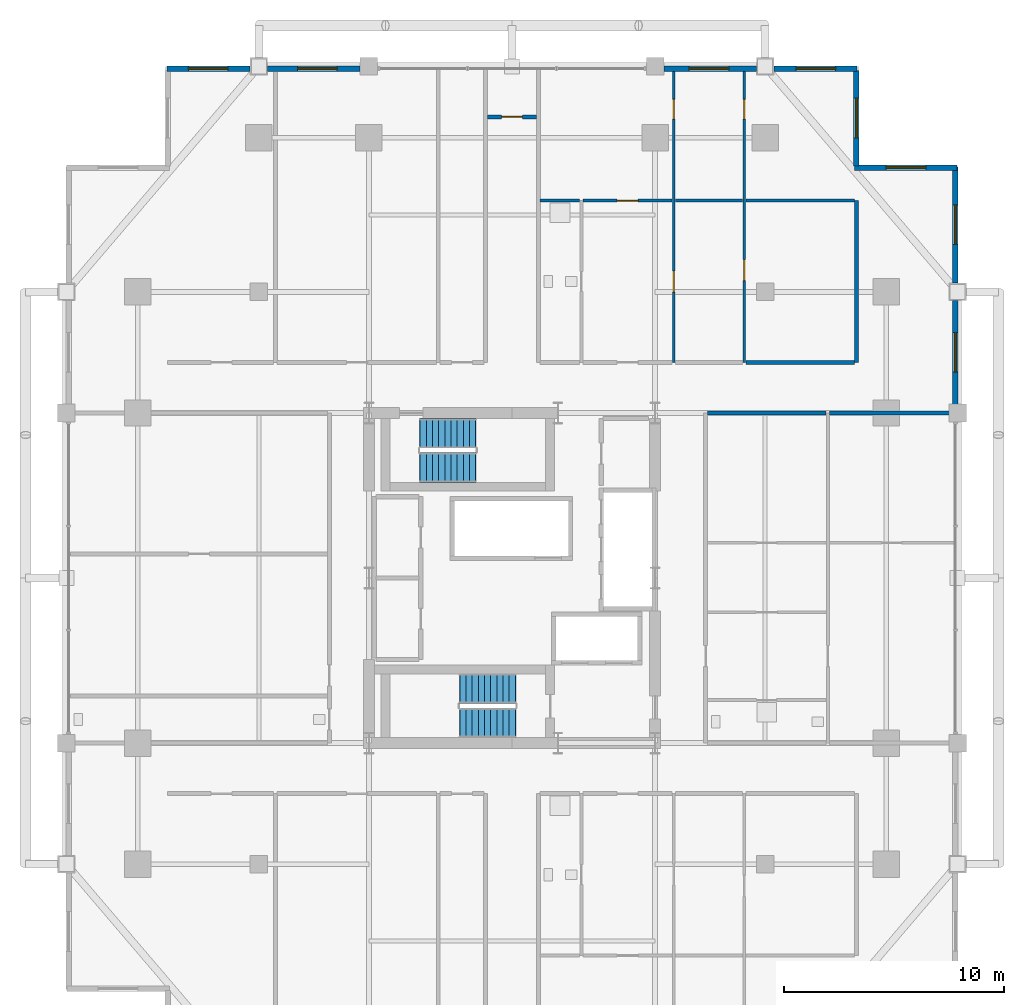
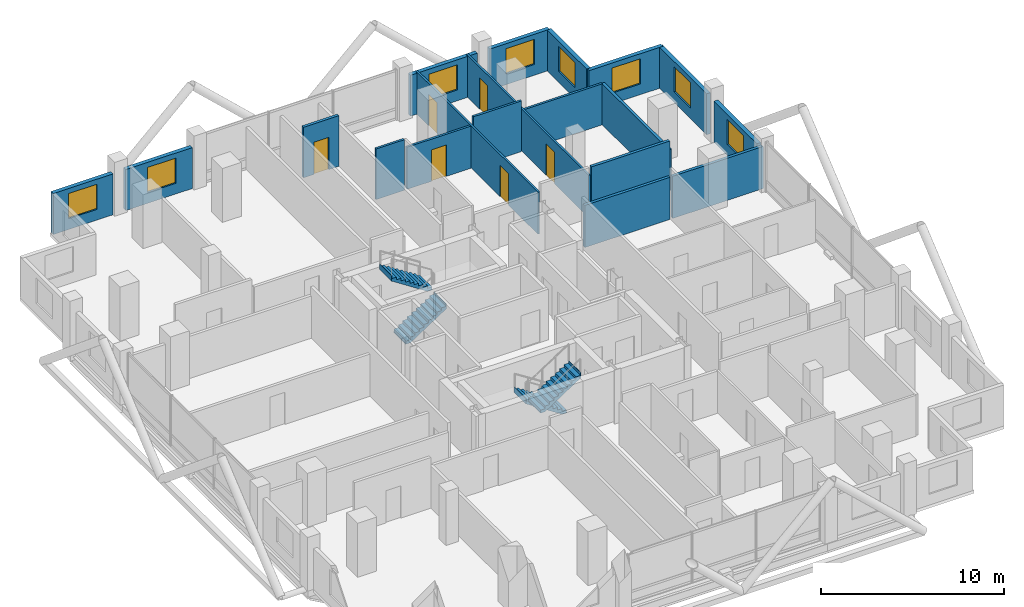
# One storey, part 22 of 24: 19 walls, 8 windows, 6 doors, 4 stair flights, 14 openings, 2 elements without a shape of their own.
"""IFC4 building model written with IfcOpenShell, lengths in metres."""

from ifc_helpers import new_model, si_unit, direction, frame, frame_2d, origin, place, context, subcontext, project, spatial, polyline, rectangle, outline, extrude, material, layer, layer_set, type_object, element, fill, aggregate, save


model = new_model("IFC4")

# Units and contexts
model_context = context("Model", 3, precision=1e-05, world=origin(), true_north=direction((0.0, 1.0)))
body_context = subcontext(model_context, "Body", "Model", "MODEL_VIEW")
ifc_project = project(units=[si_unit("LENGTHUNIT", "METRE"), si_unit("AREAUNIT", "SQUARE_METRE"), si_unit("VOLUMEUNIT", "CUBIC_METRE"), si_unit("PLANEANGLEUNIT", "RADIAN"), si_unit("MASSUNIT", "GRAM", prefix="KILO")], contexts=[model_context])

# Site, building, storey
site_placement = place(None, origin())
site = spatial("IfcSite", under=ifc_project, at=site_placement, CompositionType="ELEMENT")
building_placement = place(site_placement, origin())
building = spatial("IfcBuilding", under=site, at=building_placement, Name="Barlavira Tower and Art Museum", CompositionType="ELEMENT")
storey_placement = place(building_placement, frame((0.0, 0.0, 154.800048828125)))
storey = spatial("IfcBuildingStorey", under=building, at=storey_placement, Name="L39", CompositionType="ELEMENT", Elevation=154.800048828125)

# Wall, openings, doors
ifc_material_1 = material(Name="Gypsum acoustic stud partition", Category="gypsum")
ifc_layer_1 = layer(ifc_material_1, 0.1201171875, Name="Gypsum acoustic stud partition")
ifc_layer_set_1 = layer_set([ifc_layer_1], Name="Gypsum acoustic stud partition")
wall_type_1 = type_object("IfcWallType", Name="Apartment Internal Acoustic Partition 120", PredefinedType="PARTITIONING", material=ifc_layer_set_1)
wall_1_placement = place(storey_placement, frame((7.35009765625, 9.800048828125, 0.0), z_axis=(0.0, 0.0, 1.0), x_axis=(0.0, 1.0, 0.0)))
wall_1 = element("IfcWall", 1, at=wall_1_placement, inside=storey, type_object=wall_type_1, Name="L39 Partition Wall 16", PredefinedType="PARTITIONING", context=body_context, shape_type="SweptSolid", body=[
    extrude(rectangle(XDim=13.349853515625, YDim=0.1201171875, at=frame_2d((6.6748046875, 0.0))), origin(), (0.0, 0.0, 1.0), 2.81591796875),
])
opening_1_placement = place(wall_1_placement, frame((3.195068359375, 0.0, 0.0)))
opening_1 = element("IfcOpeningElement", 2, at=opening_1_placement, cuts=wall_1, Name="Opening D-02", PredefinedType="OPENING", context=body_context, shape_type="SweptSolid", body=[
    extrude(rectangle(XDim=0.949951171875, YDim=2.10009765625, at=frame_2d((0.47509765625, 1.050048828125))), frame((0.0, 0.070068359375, 0.0), z_axis=(0.0, -1.0, 0.0), x_axis=(1.0, 0.0, 0.0)), (0.0, 0.0, 1.0), 0.14013671875),
])
opening_2_placement = place(wall_1_placement, frame((11.051025390625, 0.0, 0.0)))
opening_2 = element("IfcOpeningElement", 3, at=opening_2_placement, cuts=wall_1, Name="Opening D-01", PredefinedType="OPENING", context=body_context, shape_type="SweptSolid", body=[
    extrude(rectangle(XDim=0.89990234375, YDim=2.10009765625, at=frame_2d((0.449951171875, 1.050048828125))), frame((0.0, 0.070068359375, 0.0), z_axis=(0.0, -1.0, 0.0), x_axis=(1.0, 0.0, 0.0)), (0.0, 0.0, 1.0), 0.14013671875),
])
ifc_material_2 = material(Name="Engineered coastal hardwood", Category="wood")
door_type_1 = type_object("IfcDoorType", Name="Internal Bedroom Timber Flush Door 900x2100", OperationType="NOTDEFINED", PredefinedType="DOOR", material=ifc_material_2)
door_1_placement = place(opening_2_placement, origin())
door_1 = element("IfcDoor", 4, at=door_1_placement, inside=storey, type_object=door_type_1, Name="Apartment NE1 Bedroom 1 Door", OperationType="SINGLE_SWING_LEFT", OverallHeight=2.10009765625, OverallWidth=0.89990234375, PredefinedType="DOOR", context=body_context, shape_type="SweptSolid", body=[
    extrude(rectangle(XDim=0.89990234375, YDim=2.10009765625, at=frame_2d((0.449951171875, 1.050048828125))), frame((0.0, 0.02490234375, 0.0), z_axis=(0.0, -1.0, 0.0), x_axis=(1.0, 0.0, 0.0)), (0.0, 0.0, 1.0), 0.050048828125),
])
fill(opening_2, door_1)
door_type_2 = type_object("IfcDoorType", Name="Living and Salon Glazed-Leaf Door 950x2100", OperationType="NOTDEFINED", PredefinedType="DOOR", material=ifc_material_2)
door_2_placement = place(opening_1_placement, origin())
door_2 = element("IfcDoor", 5, at=door_2_placement, inside=storey, type_object=door_type_2, Name="Apartment NE1 Kitchen Door", OperationType="SINGLE_SWING_RIGHT", OverallHeight=2.10009765625, OverallWidth=0.949951171875, PredefinedType="DOOR", context=body_context, shape_type="SweptSolid", body=[
    extrude(rectangle(XDim=0.949951171875, YDim=2.10009765625, at=frame_2d((0.47509765625, 1.050048828125))), frame((0.0, 0.02490234375, 0.0), z_axis=(0.0, -1.0, 0.0), x_axis=(1.0, 0.0, 0.0)), (0.0, 0.0, 1.0), 0.050048828125),
])
fill(opening_1, door_2)

wall_2_placement = place(storey_placement, frame((10.550048828125, 9.800048828125, 0.0), z_axis=(0.0, 0.0, 1.0), x_axis=(0.0, 1.0, 0.0)))
wall_2 = element("IfcWall", 6, at=wall_2_placement, inside=storey, type_object=wall_type_1, Name="L39 Partition Wall 19", PredefinedType="PARTITIONING", context=body_context, shape_type="SweptSolid", body=[
    extrude(rectangle(XDim=13.349853515625, YDim=0.1201171875, at=frame_2d((6.6748046875, 0.0))), origin(), (0.0, 0.0, 1.0), 2.81591796875),
])
opening_3_placement = place(wall_2_placement, frame((3.71337890625, 0.0, 0.0)))
opening_3 = element("IfcOpeningElement", 7, at=opening_3_placement, cuts=wall_2, Name="Opening D-02", PredefinedType="OPENING", context=body_context, shape_type="SweptSolid", body=[
    extrude(rectangle(XDim=0.949951171875, YDim=2.10009765625, at=frame_2d((0.47509765625, 1.050048828125))), frame((0.0, 0.070068359375, 0.0), z_axis=(0.0, -1.0, 0.0), x_axis=(1.0, 0.0, 0.0)), (0.0, 0.0, 1.0), 0.14013671875),
])
opening_4_placement = place(wall_2_placement, frame((11.051025390625, 0.0, 0.0)))
opening_4 = element("IfcOpeningElement", 8, at=opening_4_placement, cuts=wall_2, Name="Opening D-01", PredefinedType="OPENING", context=body_context, shape_type="SweptSolid", body=[
    extrude(rectangle(XDim=0.89990234375, YDim=2.10009765625, at=frame_2d((0.449951171875, 1.050048828125))), frame((0.0, 0.070068359375, 0.0), z_axis=(0.0, -1.0, 0.0), x_axis=(1.0, 0.0, 0.0)), (0.0, 0.0, 1.0), 0.14013671875),
])
door_3_placement = place(opening_4_placement, origin())
door_3 = element("IfcDoor", 9, at=door_3_placement, inside=storey, type_object=door_type_1, Name="Apartment NE1 Bedroom 2 Door", OperationType="SINGLE_SWING_RIGHT", OverallHeight=2.10009765625, OverallWidth=0.89990234375, PredefinedType="DOOR", context=body_context, shape_type="SweptSolid", body=[
    extrude(rectangle(XDim=0.89990234375, YDim=2.10009765625, at=frame_2d((0.449951171875, 1.050048828125))), frame((0.0, 0.02490234375, 0.0), z_axis=(0.0, -1.0, 0.0), x_axis=(1.0, 0.0, 0.0)), (0.0, 0.0, 1.0), 0.050048828125),
])
fill(opening_4, door_3)
door_4_placement = place(opening_3_placement, origin())
door_4 = element("IfcDoor", 10, at=door_4_placement, inside=storey, type_object=door_type_2, Name="Apartment NE1 Dining Salon Door", OperationType="SINGLE_SWING_LEFT", OverallHeight=2.10009765625, OverallWidth=0.949951171875, PredefinedType="DOOR", context=body_context, shape_type="SweptSolid", body=[
    extrude(rectangle(XDim=0.949951171875, YDim=2.10009765625, at=frame_2d((0.47509765625, 1.050048828125))), frame((0.0, 0.02490234375, 0.0), z_axis=(0.0, -1.0, 0.0), x_axis=(1.0, 0.0, 0.0)), (0.0, 0.0, 1.0), 0.050048828125),
])
fill(opening_3, door_4)

# Walls
ifc_layer_2 = layer(ifc_material_1, 0.179931640625, Name="Gypsum acoustic stud partition")
ifc_layer_set_2 = layer_set([ifc_layer_2], Name="Gypsum acoustic stud partition")
wall_type_2 = type_object("IfcWallType", Name="Inter-Tenancy Party Partition Wall 180", PredefinedType="PARTITIONING", material=ifc_layer_set_2)
wall_3_placement = place(storey_placement, frame((15.64990234375, 9.800048828125, 0.0), z_axis=(0.0, 0.0, 1.0), x_axis=(0.0, 1.0, 0.0)))
element("IfcWall", 11, at=wall_3_placement, inside=storey, type_object=wall_type_2, Name="L39 Partition Wall 22", PredefinedType="PARTITIONING", context=body_context, shape_type="SweptSolid", body=[
    extrude(rectangle(XDim=7.349853515625, YDim=0.179931640625, at=frame_2d((3.6748046875, 0.0))), origin(), (0.0, 0.0, 1.0), 2.73583984375),
])
wall_4_placement = place(storey_placement, frame((8.8798828125, 7.5, 0.0), z_axis=(0.0, 0.0, 1.0), x_axis=(1.0, 0.0, 0.0)))
element("IfcWall", 12, at=wall_4_placement, inside=storey, type_object=wall_type_2, Name="L39 Partition Wall 49", PredefinedType="PARTITIONING", context=body_context, shape_type="SweptSolid", body=[
    extrude(rectangle(XDim=5.39013671875, YDim=0.179931640625, at=frame_2d((2.695068359375, 0.0))), origin(), (0.0, 0.0, 1.0), 2.81591796875),
])
wall_5_placement = place(storey_placement, frame((14.429931640625, 7.5, 0.0), z_axis=(0.0, 0.0, 1.0), x_axis=(1.0, 0.0, 0.0)))
element("IfcWall", 13, at=wall_5_placement, inside=storey, type_object=wall_type_2, Name="L39 Partition Wall 50", PredefinedType="PARTITIONING", context=body_context, shape_type="SweptSolid", body=[
    extrude(rectangle(XDim=5.719970703125, YDim=0.179931640625, at=frame_2d((2.85986328125, 0.0))), origin(), (0.0, 0.0, 1.0), 2.81591796875),
])
wall_6_placement = place(storey_placement, frame((10.6298828125, 9.800048828125, 0.0), z_axis=(0.0, 0.0, 1.0), x_axis=(1.0, 0.0, 0.0)))
element("IfcWall", 14, at=wall_6_placement, inside=storey, type_object=wall_type_2, Name="L39 Partition Wall 57", PredefinedType="PARTITIONING", context=body_context, shape_type="SweptSolid", body=[
    extrude(rectangle(XDim=4.940185546875, YDim=0.179931640625, at=frame_2d((2.47021484375, 0.0))), origin(), (0.0, 0.0, 1.0), 3.3798828125),
])

# Wall, opening, door
wall_7_placement = place(storey_placement, frame((-1.1201171875, 20.949951171875, 0.0), z_axis=(0.0, 0.0, 1.0), x_axis=(1.0, 0.0, 0.0)))
wall_7 = element("IfcWall", 15, at=wall_7_placement, inside=storey, type_object=wall_type_2, Name="L39 Partition Wall 62", PredefinedType="PARTITIONING", context=body_context, shape_type="SweptSolid", body=[
    extrude(rectangle(XDim=2.240234375, YDim=0.179931640625, at=frame_2d((1.1201171875, 0.0))), origin(), (0.0, 0.0, 1.0), 3.3798828125),
])
opening_5_placement = place(wall_7_placement, frame((0.64501953125, 0.0, 0.0)))
opening_5 = element("IfcOpeningElement", 16, at=opening_5_placement, cuts=wall_7, Name="Opening FD-60", PredefinedType="OPENING", context=body_context, shape_type="SweptSolid", body=[
    extrude(rectangle(XDim=0.949951171875, YDim=2.14990234375, at=frame_2d((0.47509765625, 1.074951171875))), frame((0.0, 0.10009765625, 0.0), z_axis=(0.0, -1.0, 0.0), x_axis=(1.0, 0.0, 0.0)), (0.0, 0.0, 1.0), 0.199951171875),
])
ifc_material_3 = material(Name="Brushed stainless steel", Category="steel")
door_type_3 = type_object("IfcDoorType", Name="Apartment Entrance and Riser Fire Door 950x2150 FD60S", OperationType="NOTDEFINED", PredefinedType="DOOR", material=ifc_material_3)
door_5_placement = place(opening_5_placement, origin())
door_5 = element("IfcDoor", 17, at=door_5_placement, inside=storey, type_object=door_type_3, Name="L39 North Ocean Alcove Door", OperationType="SINGLE_SWING_RIGHT", OverallHeight=2.14990234375, OverallWidth=0.949951171875, PredefinedType="DOOR", context=body_context, shape_type="SweptSolid", body=[
    extrude(rectangle(XDim=0.949951171875, YDim=2.14990234375, at=frame_2d((0.47509765625, 1.074951171875))), frame((0.0, 0.02490234375, 0.0), z_axis=(0.0, -1.0, 0.0), x_axis=(1.0, 0.0, 0.0)), (0.0, 0.0, 1.0), 0.050048828125),
])
fill(opening_5, door_5)

# Wall
ifc_layer_3 = layer(ifc_material_1, 0.139892578125, Name="Gypsum acoustic stud partition")
ifc_layer_set_3 = layer_set([ifc_layer_3], Name="Gypsum acoustic stud partition")
wall_type_3 = type_object("IfcWallType", Name="Moisture-Resistant Bathroom Partition 140", PredefinedType="PARTITIONING", material=ifc_layer_set_3)
wall_8_placement = place(storey_placement, frame((1.280029296875, 17.14990234375, 0.0), z_axis=(0.0, 0.0, 1.0), x_axis=(1.0, 0.0, 0.0)))
element("IfcWall", 18, at=wall_8_placement, inside=storey, type_object=wall_type_3, Name="L39 Partition Wall 58", PredefinedType="PARTITIONING", context=body_context, shape_type="SweptSolid", body=[
    extrude(rectangle(XDim=1.7900390625, YDim=0.139892578125, at=frame_2d((0.89501953125, 0.0))), origin(), (0.0, 0.0, 1.0), 3.3798828125),
])

# Wall, opening, door
wall_9_placement = place(storey_placement, frame((3.22998046875, 17.14990234375, 0.0), z_axis=(0.0, 0.0, 1.0), x_axis=(1.0, 0.0, 0.0)))
wall_9 = element("IfcWall", 19, at=wall_9_placement, inside=storey, type_object=wall_type_3, Name="L39 Partition Wall 59", PredefinedType="PARTITIONING", context=body_context, shape_type="SweptSolid", body=[
    extrude(rectangle(XDim=4.0400390625, YDim=0.139892578125, at=frame_2d((2.02001953125, 0.0))), origin(), (0.0, 0.0, 1.0), 2.81591796875),
])
opening_6_placement = place(wall_9_placement, frame((1.544921875, 0.0, 0.0)))
opening_6 = element("IfcOpeningElement", 20, at=opening_6_placement, cuts=wall_9, Name="Opening D-02", PredefinedType="OPENING", context=body_context, shape_type="SweptSolid", body=[
    extrude(rectangle(XDim=0.949951171875, YDim=2.10009765625, at=frame_2d((0.47509765625, 1.050048828125))), frame((0.0, 0.080078125, 0.0), z_axis=(0.0, -1.0, 0.0), x_axis=(1.0, 0.0, 0.0)), (0.0, 0.0, 1.0), 0.159912109375),
])
door_6_placement = place(opening_6_placement, origin())
door_6 = element("IfcDoor", 21, at=door_6_placement, inside=storey, type_object=door_type_2, Name="Apartment NE1 Living Lounge Door", OperationType="SINGLE_SWING_RIGHT", OverallHeight=2.10009765625, OverallWidth=0.949951171875, PredefinedType="DOOR", context=body_context, shape_type="SweptSolid", body=[
    extrude(rectangle(XDim=0.949951171875, YDim=2.10009765625, at=frame_2d((0.47509765625, 1.050048828125))), frame((0.0, 0.02490234375, 0.0), z_axis=(0.0, -1.0, 0.0), x_axis=(1.0, 0.0, 0.0)), (0.0, 0.0, 1.0), 0.050048828125),
])
fill(opening_6, door_6)

# Walls
wall_10_placement = place(storey_placement, frame((7.429931640625, 17.14990234375, 0.0), z_axis=(0.0, 0.0, 1.0), x_axis=(1.0, 0.0, 0.0)))
element("IfcWall", 22, at=wall_10_placement, inside=storey, type_object=wall_type_3, Name="L39 Partition Wall 60", PredefinedType="PARTITIONING", context=body_context, shape_type="SweptSolid", body=[
    extrude(rectangle(XDim=3.0400390625, YDim=0.139892578125, at=frame_2d((1.52001953125, 0.0))), origin(), (0.0, 0.0, 1.0), 3.3798828125),
])
wall_11_placement = place(storey_placement, frame((10.6298828125, 17.14990234375, 0.0), z_axis=(0.0, 0.0, 1.0), x_axis=(1.0, 0.0, 0.0)))
element("IfcWall", 23, at=wall_11_placement, inside=storey, type_object=wall_type_3, Name="L39 Partition Wall 61", PredefinedType="PARTITIONING", context=body_context, shape_type="SweptSolid", body=[
    extrude(rectangle(XDim=4.940185546875, YDim=0.139892578125, at=frame_2d((2.47021484375, 0.0))), origin(), (0.0, 0.0, 1.0), 2.73583984375),
])

# Wall, opening, window
ifc_material_4 = material(Name="Precast concrete C40", Category="concrete")
ifc_layer_4 = layer(ifc_material_4, 0.25, Name="Precast concrete C40")
ifc_layer_set_4 = layer_set([ifc_layer_4], Name="Precast concrete C40")
wall_type_4 = type_object("IfcWallType", Name="Notched Corner Spandrel Wall 250 Precast Concrete C40", PredefinedType="SOLIDWALL", material=ifc_layer_set_4)
wall_12_placement = place(storey_placement, frame((15.675048828125, 23.14990234375, 0.0), z_axis=(0.0, 0.0, 1.0), x_axis=(-1.0, 0.0, 0.0)))
wall_12 = element("IfcWall", 24, at=wall_12_placement, inside=storey, type_object=wall_type_4, Name="L39 Coastal Facade Pier Wall CW2-L39-N-1", PredefinedType="SOLIDWALL", context=body_context, shape_type="SweptSolid", body=[
    extrude(rectangle(XDim=3.780029296875, YDim=0.25, at=frame_2d((1.89013671875, 0.0))), origin(), (0.0, 0.0, 1.0), 2.73583984375),
])
opening_7_placement = place(wall_12_placement, frame((0.968017578125, 0.0, 0.719970703125)))
opening_7 = element("IfcOpeningElement", 25, at=opening_7_placement, cuts=wall_12, Name="Opening WN-01", PredefinedType="OPENING", context=body_context, shape_type="SweptSolid", body=[
    extrude(rectangle(XDim=1.800048828125, YDim=1.679931640625, at=frame_2d((0.89990234375, 0.83984375))), frame((0.0, 0.135009765625, 0.0), z_axis=(0.0, -1.0, 0.0), x_axis=(1.0, 0.0, 0.0)), (0.0, 0.0, 1.0), 0.27001953125),
])
ifc_material_5 = material(Name="Low-iron coastal laminated glass", Category="glass")
window_type = type_object("IfcWindowType", Name="Recessed Notch Corner Punch Window 1800x1680", PartitioningType="SINGLE_PANEL", PredefinedType="WINDOW", material=ifc_material_5)
window_1_placement = place(opening_7_placement, origin())
window_1 = element("IfcWindow", 26, at=window_1_placement, inside=storey, type_object=window_type, Name="L39 Punched Facade Window EWP-CW2-L39-N-1-1", OverallHeight=1.679931640625, OverallWidth=1.800048828125, PartitioningType="SINGLE_PANEL", PredefinedType="WINDOW", context=body_context, shape_type="SweptSolid", body=[
    extrude(rectangle(XDim=1.800048828125, YDim=1.679931640625, at=frame_2d((0.89990234375, 0.83984375))), frame((0.0, 0.030029296875, 0.0), z_axis=(0.0, -1.0, 0.0), x_axis=(1.0, 0.0, 0.0)), (0.0, 0.0, 1.0), 0.06005859375),
])
fill(opening_7, window_1)

wall_13_placement = place(storey_placement, frame((11.10498046875, 23.14990234375, 0.0), z_axis=(0.0, 0.0, 1.0), x_axis=(-1.0, 0.0, 0.0)))
wall_13 = element("IfcWall", 27, at=wall_13_placement, inside=storey, type_object=wall_type_4, Name="L39 Coastal Facade Pier Wall CW2-L39-N-2", PredefinedType="SOLIDWALL", context=body_context, shape_type="SweptSolid", body=[
    extrude(rectangle(XDim=4.2099609375, YDim=0.25, at=frame_2d((2.10498046875, 0.0))), origin(), (0.0, 0.0, 1.0), 2.73583984375),
])
opening_8_placement = place(wall_13_placement, frame((1.2548828125, 0.0, 0.719970703125)))
opening_8 = element("IfcOpeningElement", 28, at=opening_8_placement, cuts=wall_13, Name="Opening WN-01", PredefinedType="OPENING", context=body_context, shape_type="SweptSolid", body=[
    extrude(rectangle(XDim=1.800048828125, YDim=1.679931640625, at=frame_2d((0.89990234375, 0.83984375))), frame((0.0, 0.135009765625, 0.0), z_axis=(0.0, -1.0, 0.0), x_axis=(1.0, 0.0, 0.0)), (0.0, 0.0, 1.0), 0.27001953125),
])
window_2_placement = place(opening_8_placement, origin())
window_2 = element("IfcWindow", 29, at=window_2_placement, inside=storey, type_object=window_type, Name="L39 Punched Facade Window EWP-CW2-L39-N-2-1", OverallHeight=1.679931640625, OverallWidth=1.800048828125, PartitioningType="SINGLE_PANEL", PredefinedType="WINDOW", context=body_context, shape_type="SweptSolid", body=[
    extrude(rectangle(XDim=1.800048828125, YDim=1.679931640625, at=frame_2d((0.89990234375, 0.83984375))), frame((0.0, 0.030029296875, 0.0), z_axis=(0.0, -1.0, 0.0), x_axis=(1.0, 0.0, 0.0)), (0.0, 0.0, 1.0), 0.06005859375),
])
fill(opening_8, window_2)

wall_14_placement = place(storey_placement, frame((-6.89501953125, 23.14990234375, 0.0), z_axis=(0.0, 0.0, 1.0), x_axis=(-1.0, 0.0, 0.0)))
wall_14 = element("IfcWall", 30, at=wall_14_placement, inside=storey, type_object=wall_type_4, Name="L39 Coastal Facade Pier Wall CW2-L39-N-4", PredefinedType="SOLIDWALL", context=body_context, shape_type="SweptSolid", body=[
    extrude(rectangle(XDim=4.2099609375, YDim=0.25, at=frame_2d((2.10498046875, 0.0))), origin(), (0.0, 0.0, 1.0), 2.73583984375),
])
opening_9_placement = place(wall_14_placement, frame((1.044921875, 0.0, 0.719970703125)))
opening_9 = element("IfcOpeningElement", 31, at=opening_9_placement, cuts=wall_14, Name="Opening WN-01", PredefinedType="OPENING", context=body_context, shape_type="SweptSolid", body=[
    extrude(rectangle(XDim=1.800048828125, YDim=1.679931640625, at=frame_2d((0.89990234375, 0.83984375))), frame((0.0, 0.135009765625, 0.0), z_axis=(0.0, -1.0, 0.0), x_axis=(1.0, 0.0, 0.0)), (0.0, 0.0, 1.0), 0.27001953125),
])
window_3_placement = place(opening_9_placement, origin())
window_3 = element("IfcWindow", 32, at=window_3_placement, inside=storey, type_object=window_type, Name="L39 Punched Facade Window EWP-CW2-L39-N-4-1", OverallHeight=1.679931640625, OverallWidth=1.800048828125, PartitioningType="SINGLE_PANEL", PredefinedType="WINDOW", context=body_context, shape_type="SweptSolid", body=[
    extrude(rectangle(XDim=1.800048828125, YDim=1.679931640625, at=frame_2d((0.89990234375, 0.83984375))), frame((0.0, 0.030029296875, 0.0), z_axis=(0.0, -1.0, 0.0), x_axis=(1.0, 0.0, 0.0)), (0.0, 0.0, 1.0), 0.06005859375),
])
fill(opening_9, window_3)

wall_15_placement = place(storey_placement, frame((-11.89501953125, 23.14990234375, 0.0), z_axis=(0.0, 0.0, 1.0), x_axis=(-1.0, 0.0, 0.0)))
wall_15 = element("IfcWall", 33, at=wall_15_placement, inside=storey, type_object=wall_type_4, Name="L39 Coastal Facade Pier Wall CW2-L39-N-5", PredefinedType="SOLIDWALL", context=body_context, shape_type="SweptSolid", body=[
    extrude(rectangle(XDim=3.780029296875, YDim=0.25, at=frame_2d((1.89013671875, 0.0))), origin(), (0.0, 0.0, 1.0), 2.73583984375),
])
opening_10_placement = place(wall_15_placement, frame((1.012939453125, 0.0, 0.719970703125)))
opening_10 = element("IfcOpeningElement", 34, at=opening_10_placement, cuts=wall_15, Name="Opening WN-01", PredefinedType="OPENING", context=body_context, shape_type="SweptSolid", body=[
    extrude(rectangle(XDim=1.800048828125, YDim=1.679931640625, at=frame_2d((0.89990234375, 0.83984375))), frame((0.0, 0.135009765625, 0.0), z_axis=(0.0, -1.0, 0.0), x_axis=(1.0, 0.0, 0.0)), (0.0, 0.0, 1.0), 0.27001953125),
])
window_4_placement = place(opening_10_placement, origin())
window_4 = element("IfcWindow", 35, at=window_4_placement, inside=storey, type_object=window_type, Name="L39 Punched Facade Window EWP-CW2-L39-N-5-1", OverallHeight=1.679931640625, OverallWidth=1.800048828125, PartitioningType="SINGLE_PANEL", PredefinedType="WINDOW", context=body_context, shape_type="SweptSolid", body=[
    extrude(rectangle(XDim=1.800048828125, YDim=1.679931640625, at=frame_2d((0.89990234375, 0.83984375))), frame((0.0, 0.030029296875, 0.0), z_axis=(0.0, -1.0, 0.0), x_axis=(1.0, 0.0, 0.0)), (0.0, 0.0, 1.0), 0.06005859375),
])
fill(opening_10, window_4)

wall_16_placement = place(storey_placement, frame((20.14990234375, 7.89501953125, 0.0), z_axis=(0.0, 0.0, 1.0), x_axis=(0.0, 1.0, 0.0)))
wall_16 = element("IfcWall", 36, at=wall_16_placement, inside=storey, type_object=wall_type_4, Name="L39 Coastal Facade Pier Wall CW2-L39-E-4", PredefinedType="SOLIDWALL", context=body_context, shape_type="SweptSolid", body=[
    extrude(rectangle(XDim=4.7099609375, YDim=0.25, at=frame_2d((2.35498046875, 0.0))), origin(), (0.0, 0.0, 1.0), 2.73583984375),
])
opening_11_placement = place(wall_16_placement, frame((1.455078125, 0.0, 0.719970703125)))
opening_11 = element("IfcOpeningElement", 37, at=opening_11_placement, cuts=wall_16, Name="Opening WN-01", PredefinedType="OPENING", context=body_context, shape_type="SweptSolid", body=[
    extrude(rectangle(XDim=1.800048828125, YDim=1.679931640625, at=frame_2d((0.89990234375, 0.83984375))), frame((0.0, 0.135009765625, 0.0), z_axis=(0.0, -1.0, 0.0), x_axis=(1.0, 0.0, 0.0)), (0.0, 0.0, 1.0), 0.27001953125),
])
window_5_placement = place(opening_11_placement, origin())
window_5 = element("IfcWindow", 38, at=window_5_placement, inside=storey, type_object=window_type, Name="L39 Punched Facade Window EWP-CW2-L39-E-4-1", OverallHeight=1.679931640625, OverallWidth=1.800048828125, PartitioningType="SINGLE_PANEL", PredefinedType="WINDOW", context=body_context, shape_type="SweptSolid", body=[
    extrude(rectangle(XDim=1.800048828125, YDim=1.679931640625, at=frame_2d((0.89990234375, 0.83984375))), frame((0.0, 0.030029296875, 0.0), z_axis=(0.0, -1.0, 0.0), x_axis=(1.0, 0.0, 0.0)), (0.0, 0.0, 1.0), 0.06005859375),
])
fill(opening_11, window_5)

wall_17_placement = place(storey_placement, frame((20.14990234375, 13.39501953125, 0.0), z_axis=(0.0, 0.0, 1.0), x_axis=(0.0, 1.0, 0.0)))
wall_17 = element("IfcWall", 39, at=wall_17_placement, inside=storey, type_object=wall_type_4, Name="L39 Coastal Facade Pier Wall CW2-L39-E-5", PredefinedType="SOLIDWALL", context=body_context, shape_type="SweptSolid", body=[
    extrude(rectangle(XDim=5.280029296875, YDim=0.25, at=frame_2d((2.64013671875, 0.0))), origin(), (0.0, 0.0, 1.0), 2.73583984375),
])
opening_12_placement = place(wall_17_placement, frame((1.762939453125, 0.0, 0.719970703125)))
opening_12 = element("IfcOpeningElement", 40, at=opening_12_placement, cuts=wall_17, Name="Opening WN-01", PredefinedType="OPENING", context=body_context, shape_type="SweptSolid", body=[
    extrude(rectangle(XDim=1.800048828125, YDim=1.679931640625, at=frame_2d((0.89990234375, 0.83984375))), frame((0.0, 0.135009765625, 0.0), z_axis=(0.0, -1.0, 0.0), x_axis=(1.0, 0.0, 0.0)), (0.0, 0.0, 1.0), 0.27001953125),
])
window_6_placement = place(opening_12_placement, origin())
window_6 = element("IfcWindow", 41, at=window_6_placement, inside=storey, type_object=window_type, Name="L39 Punched Facade Window EWP-CW2-L39-E-5-1", OverallHeight=1.679931640625, OverallWidth=1.800048828125, PartitioningType="SINGLE_PANEL", PredefinedType="WINDOW", context=body_context, shape_type="SweptSolid", body=[
    extrude(rectangle(XDim=1.800048828125, YDim=1.679931640625, at=frame_2d((0.89990234375, 0.83984375))), frame((0.0, 0.030029296875, 0.0), z_axis=(0.0, -1.0, 0.0), x_axis=(1.0, 0.0, 0.0)), (0.0, 0.0, 1.0), 0.06005859375),
])
fill(opening_12, window_6)

wall_18_placement = place(storey_placement, frame((20.22998046875, 18.64990234375, 0.0), z_axis=(0.0, 0.0, 1.0), x_axis=(-1.0, 0.0, 0.0)))
wall_18 = element("IfcWall", 42, at=wall_18_placement, inside=storey, type_object=wall_type_4, Name="L39 Notch Corner Wall NE1", PredefinedType="SOLIDWALL", context=body_context, shape_type="SweptSolid", body=[
    extrude(rectangle(XDim=4.659912109375, YDim=0.25, at=frame_2d((2.330078125, 0.0))), origin(), (0.0, 0.0, 1.0), 2.73583984375),
])
opening_13_placement = place(wall_18_placement, frame((1.429931640625, 0.0, 0.719970703125)))
opening_13 = element("IfcOpeningElement", 43, at=opening_13_placement, cuts=wall_18, Name="Opening WN-01", PredefinedType="OPENING", context=body_context, shape_type="SweptSolid", body=[
    extrude(rectangle(XDim=1.800048828125, YDim=1.679931640625, at=frame_2d((0.89990234375, 0.83984375))), frame((0.0, 0.135009765625, 0.0), z_axis=(0.0, -1.0, 0.0), x_axis=(1.0, 0.0, 0.0)), (0.0, 0.0, 1.0), 0.27001953125),
])
window_7_placement = place(opening_13_placement, origin())
window_7 = element("IfcWindow", 44, at=window_7_placement, inside=storey, type_object=window_type, Name="L39 Punched Facade Window EW-NTC-L39-NE1-1", OverallHeight=1.679931640625, OverallWidth=1.800048828125, PartitioningType="SINGLE_PANEL", PredefinedType="WINDOW", context=body_context, shape_type="SweptSolid", body=[
    extrude(rectangle(XDim=1.800048828125, YDim=1.679931640625, at=frame_2d((0.89990234375, 0.83984375))), frame((0.0, 0.030029296875, 0.0), z_axis=(0.0, -1.0, 0.0), x_axis=(1.0, 0.0, 0.0)), (0.0, 0.0, 1.0), 0.06005859375),
])
fill(opening_13, window_7)

wall_19_placement = place(storey_placement, frame((15.64990234375, 18.72998046875, 0.0), z_axis=(0.0, 0.0, 1.0), x_axis=(0.0, 1.0, 0.0)))
wall_19 = element("IfcWall", 45, at=wall_19_placement, inside=storey, type_object=wall_type_4, Name="L39 Notch Corner Wall NE2", PredefinedType="SOLIDWALL", context=body_context, shape_type="SweptSolid", body=[
    extrude(rectangle(XDim=4.340087890625, YDim=0.25, at=frame_2d((2.169921875, 0.0))), origin(), (0.0, 0.0, 1.0), 2.73583984375),
])
opening_14_placement = place(wall_19_placement, frame((1.27001953125, 0.0, 0.719970703125)))
opening_14 = element("IfcOpeningElement", 46, at=opening_14_placement, cuts=wall_19, Name="Opening WN-01", PredefinedType="OPENING", context=body_context, shape_type="SweptSolid", body=[
    extrude(rectangle(XDim=1.800048828125, YDim=1.679931640625, at=frame_2d((0.89990234375, 0.83984375))), frame((0.0, 0.135009765625, 0.0), z_axis=(0.0, -1.0, 0.0), x_axis=(1.0, 0.0, 0.0)), (0.0, 0.0, 1.0), 0.27001953125),
])
window_8_placement = place(opening_14_placement, origin())
window_8 = element("IfcWindow", 47, at=window_8_placement, inside=storey, type_object=window_type, Name="L39 Punched Facade Window EW-NTC-L39-NE2-1", OverallHeight=1.679931640625, OverallWidth=1.800048828125, PartitioningType="SINGLE_PANEL", PredefinedType="WINDOW", context=body_context, shape_type="SweptSolid", body=[
    extrude(rectangle(XDim=1.800048828125, YDim=1.679931640625, at=frame_2d((0.89990234375, 0.83984375))), frame((0.0, 0.030029296875, 0.0), z_axis=(0.0, -1.0, 0.0), x_axis=(1.0, 0.0, 0.0)), (0.0, 0.0, 1.0), 0.06005859375),
])
fill(opening_14, window_8)

# Stair, stair flights
ifc_material_6 = material(Name="Concrete C45", Category="concrete")
stair_type_1 = type_object("IfcStairType", Name="Tower North Dog-Leg Exit Stair Assembly Concrete C45", PredefinedType="TWO_QUARTER_TURN_STAIR", material=ifc_material_6)
stair_1_placement = place(storey_placement, origin())
stair_1 = element("IfcStair", 48, at=stair_1_placement, inside=storey, type_object=stair_type_1, Name="L39 Tower North Exit Stair ST-T2", PredefinedType="TWO_QUARTER_TURN_STAIR")
ifc_material_7 = material(Name="Precast concrete C45", Category="concrete")
stair_flight_type_1 = type_object("IfcStairFlightType", Name="Tower North Dog-Leg Exit Stair Precast Flight 1350 Concrete C45", PredefinedType="STRAIGHT", material=ifc_material_7)
stair_flight_1_placement = place(storey_placement, frame((-4.169921875, 5.02490234375, 0.0), z_axis=(0.0, 0.0, 1.0), x_axis=(1.0, 0.0, 0.0)))
stair_flight_1 = element("IfcStairFlight", 49, at=stair_flight_1_placement, type_object=stair_flight_type_1, Name="ST-T2 flight 1", NumberOfRisers=10, NumberOfTreads=9, PredefinedType="STRAIGHT", RiserHeight=0.18, TreadLength=0.28, context=body_context, shape_type="SweptSolid", body=[
    extrude(outline(polyline([(-0.02490234375, 0.0), (0.0, 0.0), (0.0, 0.179931640625), (0.280029296875, 0.179931640625), (0.280029296875, 0.360107421875), (0.56005859375, 0.360107421875), (0.56005859375, 0.5400390625), (0.840087890625, 0.5400390625), (0.840087890625, 0.719970703125), (1.1201171875, 0.719970703125), (1.1201171875, 0.89990234375), (1.39990234375, 0.89990234375), (1.39990234375, 1.080078125), (1.679931640625, 1.080078125), (1.679931640625, 1.260009765625), (1.9599609375, 1.260009765625), (1.9599609375, 1.43994140625), (2.239990234375, 1.43994140625), (2.239990234375, 1.6201171875), (2.52001953125, 1.6201171875), (2.52001953125, 1.800048828125), (2.544921875, 1.800048828125), (2.544921875, 1.44189453125), (2.52001953125, 1.44189453125), (0.277099609375, -0.02490234375), (-0.02490234375, -0.02490234375), (-0.02490234375, 0.0)])), frame((0.0, 0.675048828125, 0.0), z_axis=(0.0, -1.0, 0.0), x_axis=(1.0, 0.0, 0.0)), (0.0, 0.0, 1.0), 1.35009765625),
])
stair_flight_2_placement = place(storey_placement, frame((-1.64990234375, 6.574951171875, 1.800048828125), z_axis=(0.0, 0.0, 1.0), x_axis=(-1.0, 0.0, 0.0)))
stair_flight_2 = element("IfcStairFlight", 50, at=stair_flight_2_placement, type_object=stair_flight_type_1, Name="ST-T2 flight 2", NumberOfRisers=10, NumberOfTreads=9, PredefinedType="STRAIGHT", RiserHeight=0.18, TreadLength=0.28, context=body_context, shape_type="SweptSolid", body=[
    extrude(outline(polyline([(-0.02490234375, 0.0), (0.0, 0.0), (0.0, 0.179931640625), (0.280029296875, 0.179931640625), (0.280029296875, 0.360107421875), (0.56005859375, 0.360107421875), (0.56005859375, 0.5400390625), (0.840087890625, 0.5400390625), (0.840087890625, 0.719970703125), (1.1201171875, 0.719970703125), (1.1201171875, 0.89990234375), (1.39990234375, 0.89990234375), (1.39990234375, 1.080078125), (1.679931640625, 1.080078125), (1.679931640625, 1.260009765625), (1.9599609375, 1.260009765625), (1.9599609375, 1.43994140625), (2.239990234375, 1.43994140625), (2.239990234375, 1.6201171875), (2.52001953125, 1.6201171875), (2.52001953125, 1.800048828125), (2.544921875, 1.800048828125), (2.544921875, 1.44189453125), (2.52001953125, 1.44189453125), (0.277099609375, -0.02490234375), (-0.02490234375, -0.02490234375), (-0.02490234375, 0.0)])), frame((0.0, 0.675048828125, 0.0), z_axis=(0.0, -1.0, 0.0), x_axis=(1.0, 0.0, 0.0)), (0.0, 0.0, 1.0), 1.35009765625),
])
aggregate(stair_1, [stair_flight_1, stair_flight_2])

stair_type_2 = type_object("IfcStairType", Name="Tower South Dog-Leg Exit Stair Assembly Concrete C45", PredefinedType="TWO_QUARTER_TURN_STAIR", material=ifc_material_6)
stair_2_placement = place(storey_placement, origin())
stair_2 = element("IfcStair", 51, at=stair_2_placement, inside=storey, type_object=stair_type_2, Name="L39 Tower South Exit Stair ST-T1", PredefinedType="TWO_QUARTER_TURN_STAIR")
stair_flight_type_2 = type_object("IfcStairFlightType", Name="Tower South Dog-Leg Exit Stair Precast Flight 1350 Concrete C45", PredefinedType="STRAIGHT", material=ifc_material_7)
stair_flight_3_placement = place(storey_placement, frame((0.14990234375, -5.02490234375, 0.0), z_axis=(0.0, 0.0, 1.0), x_axis=(-1.0, 0.0, 0.0)))
stair_flight_3 = element("IfcStairFlight", 52, at=stair_flight_3_placement, type_object=stair_flight_type_2, Name="ST-T1 flight 1", NumberOfRisers=10, NumberOfTreads=9, PredefinedType="STRAIGHT", RiserHeight=0.18, TreadLength=0.28, context=body_context, shape_type="SweptSolid", body=[
    extrude(outline(polyline([(-0.02490234375, 0.0), (0.0, 0.0), (0.0, 0.179931640625), (0.280029296875, 0.179931640625), (0.280029296875, 0.360107421875), (0.56005859375, 0.360107421875), (0.56005859375, 0.5400390625), (0.840087890625, 0.5400390625), (0.840087890625, 0.719970703125), (1.1201171875, 0.719970703125), (1.1201171875, 0.89990234375), (1.39990234375, 0.89990234375), (1.39990234375, 1.080078125), (1.679931640625, 1.080078125), (1.679931640625, 1.260009765625), (1.9599609375, 1.260009765625), (1.9599609375, 1.43994140625), (2.239990234375, 1.43994140625), (2.239990234375, 1.6201171875), (2.52001953125, 1.6201171875), (2.52001953125, 1.800048828125), (2.544921875, 1.800048828125), (2.544921875, 1.44189453125), (2.52001953125, 1.44189453125), (0.277099609375, -0.02490234375), (-0.02490234375, -0.02490234375), (-0.02490234375, 0.0)])), frame((0.0, 0.675048828125, 0.0), z_axis=(0.0, -1.0, 0.0), x_axis=(1.0, 0.0, 0.0)), (0.0, 0.0, 1.0), 1.35009765625),
])
stair_flight_4_placement = place(storey_placement, frame((-2.3701171875, -6.574951171875, 1.800048828125), z_axis=(0.0, 0.0, 1.0), x_axis=(1.0, 0.0, 0.0)))
stair_flight_4 = element("IfcStairFlight", 53, at=stair_flight_4_placement, type_object=stair_flight_type_2, Name="ST-T1 flight 2", NumberOfRisers=10, NumberOfTreads=9, PredefinedType="STRAIGHT", RiserHeight=0.18, TreadLength=0.28, context=body_context, shape_type="SweptSolid", body=[
    extrude(outline(polyline([(-0.02490234375, 0.0), (0.0, 0.0), (0.0, 0.179931640625), (0.280029296875, 0.179931640625), (0.280029296875, 0.360107421875), (0.56005859375, 0.360107421875), (0.56005859375, 0.5400390625), (0.840087890625, 0.5400390625), (0.840087890625, 0.719970703125), (1.1201171875, 0.719970703125), (1.1201171875, 0.89990234375), (1.39990234375, 0.89990234375), (1.39990234375, 1.080078125), (1.679931640625, 1.080078125), (1.679931640625, 1.260009765625), (1.9599609375, 1.260009765625), (1.9599609375, 1.43994140625), (2.239990234375, 1.43994140625), (2.239990234375, 1.6201171875), (2.52001953125, 1.6201171875), (2.52001953125, 1.800048828125), (2.544921875, 1.800048828125), (2.544921875, 1.44189453125), (2.52001953125, 1.44189453125), (0.277099609375, -0.02490234375), (-0.02490234375, -0.02490234375), (-0.02490234375, 0.0)])), frame((0.0, 0.675048828125, 0.0), z_axis=(0.0, -1.0, 0.0), x_axis=(1.0, 0.0, 0.0)), (0.0, 0.0, 1.0), 1.35009765625),
])
aggregate(stair_2, [stair_flight_3, stair_flight_4])

save(model, "model.ifc")
